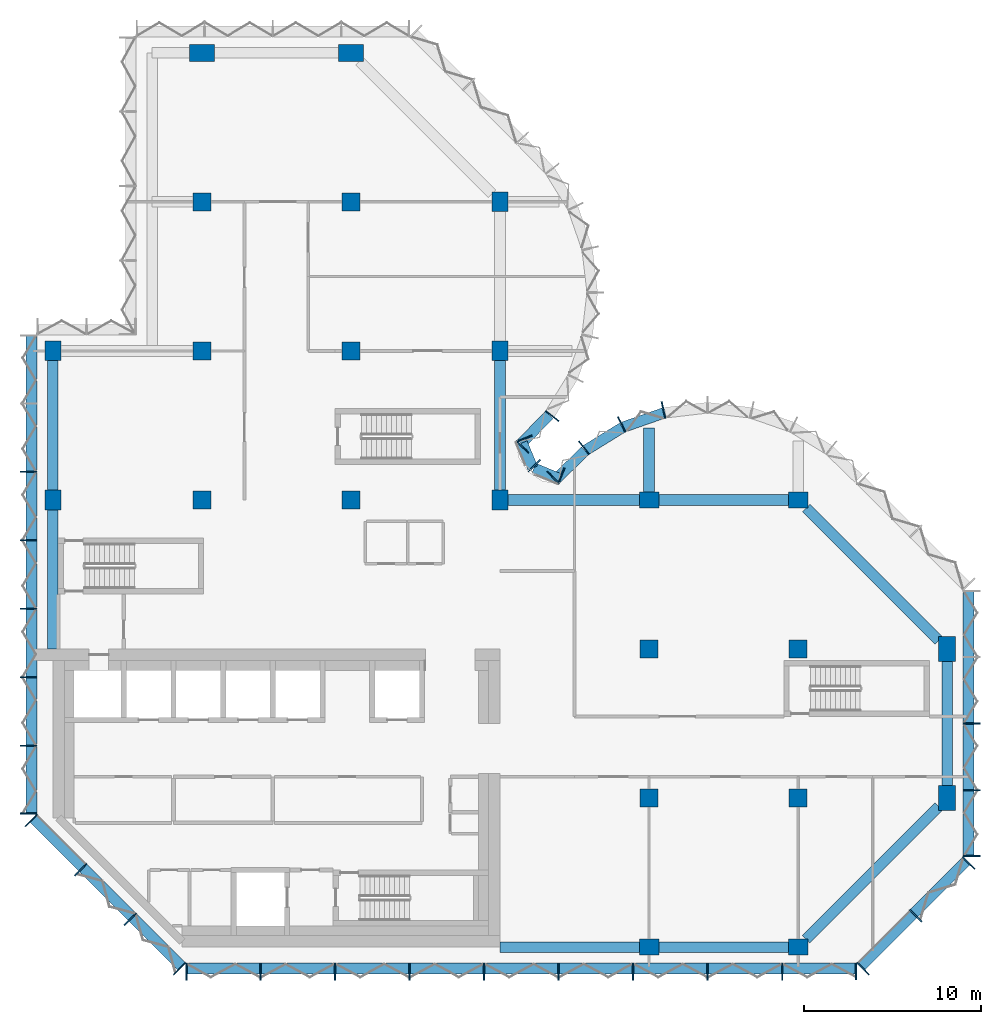
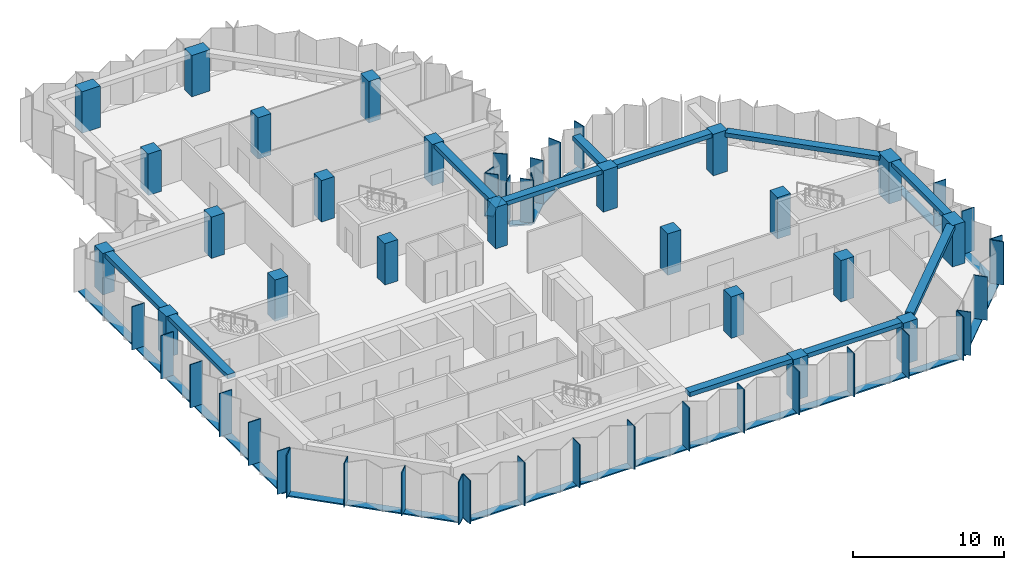
# One storey, part 1 of 9: 46 members, 23 columns, 11 beams, 8 elements without a shape of their own.
"""IFC4 building model written with IfcOpenShell, lengths in metres."""

from ifc_helpers import new_model, si_unit, direction, frame, origin, origin_2d, place, context, subcontext, project, spatial, rectangle, extrude, material, material_profile, profile_set, type_object, element, aggregate, save


model = new_model("IFC4")

# Units and contexts
model_context = context("Model", 3, precision=1e-05, world=origin(), true_north=direction((0.0, 1.0)))
body_context = subcontext(model_context, "Body", "Model", "MODEL_VIEW")
ifc_project = project(units=[si_unit("LENGTHUNIT", "METRE"), si_unit("AREAUNIT", "SQUARE_METRE"), si_unit("VOLUMEUNIT", "CUBIC_METRE"), si_unit("PLANEANGLEUNIT", "RADIAN"), si_unit("MASSUNIT", "GRAM", prefix="KILO")], contexts=[model_context])

# Site, building, storey
site_placement = place(None, origin())
site = spatial("IfcSite", under=ifc_project, at=site_placement, CompositionType="ELEMENT")
building_placement = place(site_placement, origin())
building = spatial("IfcBuilding", under=site, at=building_placement, Name="Brevane Broadcast Tower", CompositionType="ELEMENT")
storey_placement = place(building_placement, frame((0.0, 0.0, 188.39990234375)))
storey = spatial("IfcBuildingStorey", under=building, at=storey_placement, Name="L47", CompositionType="ELEMENT", Elevation=188.39990234375)

# Columns
ifc_material_1 = material(Name="Concrete C60/75", Category="concrete")
ifc_material_profile_1 = material_profile(ifc_material_1, rectangle(XDim=0.89990234375, YDim=1.10009765625, at=origin_2d()), Name="RC 900x1100")
ifc_profile_set_1 = profile_set([ifc_material_profile_1], Name="Concrete C60/75")
column_type_1 = type_object("IfcColumnType", Name="RC COLUMN EDGE 900x1100 C60/75", PredefinedType="COLUMN", material=ifc_profile_set_1)
for number, where, z_axis, x_axis, name in (
    (1, (0.0, 25.199951171875, 0.0), (0.0, 0.0, 1.0), (1.0, 0.0, 0.0), "CE11 1/D"),
    (2, (0.0, 33.60009765625, 0.0), (0.0, 0.0, 1.0), (1.0, 0.0, 0.0), "CE11 1/E"),
    (3, (25.199951171875, 25.199951171875, 0.0), (0.0, 0.0, 1.0), (1.0, 0.0, 0.0), "CE11 4/D"),
    (4, (25.199951171875, 33.60009765625, 0.0), (0.0, 0.0, 1.0), (1.0, 0.0, 0.0), "CE11 4/E"),
    (5, (25.199951171875, 42.0, 0.0), (0.0, 0.0, 1.0), (1.0, 0.0, 0.0), "CE11 4/F"),
    (6, (33.60009765625, 0.0, 0.0), (0.0, 0.0, 1.0), (0.0, 1.0, 0.0), "CE11 5/A"),
    (7, (33.60009765625, 25.199951171875, 0.0), (0.0, 0.0, 1.0), (0.0, 1.0, 0.0), "CE11 5/D"),
    (8, (42.0, 0.0, 0.0), (0.0, 0.0, 1.0), (0.0, 1.0, 0.0), "CE11 6/A"),
    (9, (42.0, 25.199951171875, 0.0), (0.0, 0.0, 1.0), (0.0, 1.0, 0.0), "CE11 6/D"),
):
    element("IfcColumn", number, at=place(storey_placement, frame(where, z_axis=z_axis, x_axis=x_axis)), inside=storey, type_object=column_type_1, Name=name, PredefinedType="COLUMN", context=body_context, shape_type="SweptSolid", body=[
        extrude(rectangle(XDim=0.89990234375, YDim=1.10009765625, at=origin_2d()), origin(), (0.0, 0.0, 1.0), 3.35009765625),
    ])
ifc_material_profile_2 = material_profile(ifc_material_1, rectangle(XDim=1.0, YDim=1.0, at=origin_2d()), Name="RC 1000x1000")
ifc_profile_set_2 = profile_set([ifc_material_profile_2], Name="Concrete C60/75")
column_type_2 = type_object("IfcColumnType", Name="RC COLUMN INTERIOR 1000x1000 C60/75", PredefinedType="COLUMN", material=ifc_profile_set_2)
for number, where, z_axis, x_axis, name in (
    (10, (8.39990234375, 25.199951171875, 0.0), (0.0, 0.0, 1.0), (1.0, 0.0, 0.0), "CI12 2/D"),
    (11, (8.39990234375, 33.60009765625, 0.0), (0.0, 0.0, 1.0), (1.0, 0.0, 0.0), "CI12 2/E"),
    (12, (8.39990234375, 42.0, 0.0), (0.0, 0.0, 1.0), (1.0, 0.0, 0.0), "CI12 2/F"),
    (13, (16.800048828125, 25.199951171875, 0.0), (0.0, 0.0, 1.0), (1.0, 0.0, 0.0), "CI12 3/D"),
    (14, (16.800048828125, 33.60009765625, 0.0), (0.0, 0.0, 1.0), (1.0, 0.0, 0.0), "CI12 3/E"),
    (15, (16.800048828125, 42.0, 0.0), (0.0, 0.0, 1.0), (1.0, 0.0, 0.0), "CI12 3/F"),
    (16, (33.60009765625, 8.39990234375, 0.0), (0.0, 0.0, 1.0), (1.0, 0.0, 0.0), "CI12 5/B"),
    (17, (33.60009765625, 16.800048828125, 0.0), (0.0, 0.0, 1.0), (1.0, 0.0, 0.0), "CI12 5/C"),
    (18, (42.0, 8.39990234375, 0.0), (0.0, 0.0, 1.0), (1.0, 0.0, 0.0), "CI12 6/B"),
    (19, (42.0, 16.800048828125, 0.0), (0.0, 0.0, 1.0), (1.0, 0.0, 0.0), "CI12 6/C"),
):
    element("IfcColumn", number, at=place(storey_placement, frame(where, z_axis=z_axis, x_axis=x_axis)), inside=storey, type_object=column_type_2, Name=name, PredefinedType="COLUMN", context=body_context, shape_type="SweptSolid", body=[
        extrude(rectangle(XDim=1.0, YDim=1.0, at=origin_2d()), origin(), (0.0, 0.0, 1.0), 3.35009765625),
    ])
ifc_material_profile_3 = material_profile(ifc_material_1, rectangle(XDim=0.949951171875, YDim=1.39990234375, at=origin_2d()), Name="RC 950x1400")
ifc_profile_set_3 = profile_set([ifc_material_profile_3], Name="Concrete C60/75")
column_type_3 = type_object("IfcColumnType", Name="RC COLUMN WING-END 950x1400 C60/75", PredefinedType="COLUMN", material=ifc_profile_set_3)
for number, where, z_axis, x_axis, name in (
    (20, (8.39990234375, 50.39990234375, 0.0), (0.0, 0.0, 1.0), (0.0, 1.0, 0.0), "CW13 2/G"),
    (21, (16.800048828125, 50.39990234375, 0.0), (0.0, 0.0, 1.0), (0.0, 1.0, 0.0), "CW13 3/G"),
    (22, (50.39990234375, 8.39990234375, 0.0), (0.0, 0.0, 1.0), (1.0, 0.0, 0.0), "CW13 7/B"),
    (23, (50.39990234375, 16.800048828125, 0.0), (0.0, 0.0, 1.0), (1.0, 0.0, 0.0), "CW13 7/C"),
):
    element("IfcColumn", number, at=place(storey_placement, frame(where, z_axis=z_axis, x_axis=x_axis)), inside=storey, type_object=column_type_3, Name=name, PredefinedType="COLUMN", context=body_context, shape_type="SweptSolid", body=[
        extrude(rectangle(XDim=0.949951171875, YDim=1.39990234375, at=origin_2d()), origin(), (0.0, 0.0, 1.0), 3.35009765625),
    ])

# Curtain wall, members
ifc_material_2 = material(Name="Aluminium 6063-T6 bronze anodised", Category="aluminium")
curtain_wall_type = type_object("IfcCurtainWallType", Name="CW-1 curtain wall", PredefinedType="NOTDEFINED", material=ifc_material_2)
curtain_wall_1_placement = place(storey_placement, origin())
curtain_wall_1 = element("IfcCurtainWall", 24, at=curtain_wall_1_placement, inside=storey, type_object=curtain_wall_type, Name="CW-1 typical tilted unit L47 south face", PredefinedType="NOTDEFINED")
ifc_material_profile_4 = material_profile(ifc_material_2, rectangle(XDim=0.949951171875, YDim=0.070068359375, at=origin_2d()), Name="RECT 70x950")
ifc_profile_set_4 = profile_set([ifc_material_profile_4], Name="Aluminium 6063-T6 bronze anodised")
member_type_1 = type_object("IfcMemberType", Name="CW-1 mullion 70x950", PredefinedType="MULLION", material=ifc_profile_set_4)
member_1_placement = place(storey_placement, frame((7.534912109375, -1.375, -0.14990234375), z_axis=(0.0, 0.0, 1.0), x_axis=(0.0, 1.0, 0.0)))
member_1 = element("IfcMember", 25, at=member_1_placement, type_object=member_type_1, Name="CW-1 mullion", PredefinedType="MULLION", context=body_context, shape_type="SweptSolid", body=[
    extrude(rectangle(XDim=0.949951171875, YDim=0.070068359375, at=origin_2d()), origin(), (0.0, 0.0, 1.0), 3.5),
])
member_2_placement = place(storey_placement, frame((11.699951171875, -1.375, -0.14990234375), z_axis=(0.0, 0.0, 1.0), x_axis=(0.0, 1.0, 0.0)))
member_2 = element("IfcMember", 26, at=member_2_placement, type_object=member_type_1, Name="CW-1 mullion", PredefinedType="MULLION", context=body_context, shape_type="SweptSolid", body=[
    extrude(rectangle(XDim=0.949951171875, YDim=0.070068359375, at=origin_2d()), origin(), (0.0, 0.0, 1.0), 3.5),
])
member_3_placement = place(storey_placement, frame((15.89990234375, -1.375, -0.14990234375), z_axis=(0.0, 0.0, 1.0), x_axis=(0.0, 1.0, 0.0)))
member_3 = element("IfcMember", 27, at=member_3_placement, type_object=member_type_1, Name="CW-1 mullion", PredefinedType="MULLION", context=body_context, shape_type="SweptSolid", body=[
    extrude(rectangle(XDim=0.949951171875, YDim=0.070068359375, at=origin_2d()), origin(), (0.0, 0.0, 1.0), 3.5),
])
member_4_placement = place(storey_placement, frame((20.10009765625, -1.375, -0.14990234375), z_axis=(0.0, 0.0, 1.0), x_axis=(0.0, 1.0, 0.0)))
member_4 = element("IfcMember", 28, at=member_4_placement, type_object=member_type_1, Name="CW-1 mullion", PredefinedType="MULLION", context=body_context, shape_type="SweptSolid", body=[
    extrude(rectangle(XDim=0.949951171875, YDim=0.070068359375, at=origin_2d()), origin(), (0.0, 0.0, 1.0), 3.5),
])
member_5_placement = place(storey_placement, frame((24.300048828125, -1.375, -0.14990234375), z_axis=(0.0, 0.0, 1.0), x_axis=(0.0, 1.0, 0.0)))
member_5 = element("IfcMember", 29, at=member_5_placement, type_object=member_type_1, Name="CW-1 mullion", PredefinedType="MULLION", context=body_context, shape_type="SweptSolid", body=[
    extrude(rectangle(XDim=0.949951171875, YDim=0.070068359375, at=origin_2d()), origin(), (0.0, 0.0, 1.0), 3.5),
])
member_6_placement = place(storey_placement, frame((28.5, -1.375, -0.14990234375), z_axis=(0.0, 0.0, 1.0), x_axis=(0.0, 1.0, 0.0)))
member_6 = element("IfcMember", 30, at=member_6_placement, type_object=member_type_1, Name="CW-1 mullion", PredefinedType="MULLION", context=body_context, shape_type="SweptSolid", body=[
    extrude(rectangle(XDim=0.949951171875, YDim=0.070068359375, at=origin_2d()), origin(), (0.0, 0.0, 1.0), 3.5),
])
member_7_placement = place(storey_placement, frame((32.699951171875, -1.375, -0.14990234375), z_axis=(0.0, 0.0, 1.0), x_axis=(0.0, 1.0, 0.0)))
member_7 = element("IfcMember", 31, at=member_7_placement, type_object=member_type_1, Name="CW-1 mullion", PredefinedType="MULLION", context=body_context, shape_type="SweptSolid", body=[
    extrude(rectangle(XDim=0.949951171875, YDim=0.070068359375, at=origin_2d()), origin(), (0.0, 0.0, 1.0), 3.5),
])
member_8_placement = place(storey_placement, frame((36.89990234375, -1.375, -0.14990234375), z_axis=(0.0, 0.0, 1.0), x_axis=(0.0, 1.0, 0.0)))
member_8 = element("IfcMember", 32, at=member_8_placement, type_object=member_type_1, Name="CW-1 mullion", PredefinedType="MULLION", context=body_context, shape_type="SweptSolid", body=[
    extrude(rectangle(XDim=0.949951171875, YDim=0.070068359375, at=origin_2d()), origin(), (0.0, 0.0, 1.0), 3.5),
])
member_9_placement = place(storey_placement, frame((41.10009765625, -1.375, -0.14990234375), z_axis=(0.0, 0.0, 1.0), x_axis=(0.0, 1.0, 0.0)))
member_9 = element("IfcMember", 33, at=member_9_placement, type_object=member_type_1, Name="CW-1 mullion", PredefinedType="MULLION", context=body_context, shape_type="SweptSolid", body=[
    extrude(rectangle(XDim=0.949951171875, YDim=0.070068359375, at=origin_2d()), origin(), (0.0, 0.0, 1.0), 3.5),
])
member_10_placement = place(storey_placement, frame((45.264892578125, -1.375, -0.14990234375), z_axis=(0.0, 0.0, 1.0), x_axis=(0.0, 1.0, 0.0)))
member_10 = element("IfcMember", 34, at=member_10_placement, type_object=member_type_1, Name="CW-1 mullion", PredefinedType="MULLION", context=body_context, shape_type="SweptSolid", body=[
    extrude(rectangle(XDim=0.949951171875, YDim=0.070068359375, at=origin_2d()), origin(), (0.0, 0.0, 1.0), 3.5),
])

curtain_wall_2_placement = place(storey_placement, origin())
curtain_wall_2 = element("IfcCurtainWall", 35, at=curtain_wall_2_placement, inside=storey, type_object=curtain_wall_type, Name="CW-1 typical tilted unit L47 south-east chamfer", PredefinedType="NOTDEFINED")
member_11_placement = place(storey_placement, frame((45.66064453125, -1.211181640625, -0.14990234375), z_axis=(0.0, 0.0, 1.0), x_axis=(-0.707106781187, 0.707106781187, 0.0)))
member_11 = element("IfcMember", 36, at=member_11_placement, type_object=member_type_1, Name="CW-1 mullion", PredefinedType="MULLION", context=body_context, shape_type="SweptSolid", body=[
    extrude(rectangle(XDim=0.949951171875, YDim=0.070068359375, at=origin_2d()), origin(), (0.0, 0.0, 1.0), 3.5),
])
member_12_placement = place(storey_placement, frame((48.635986328125, 1.76416015625, -0.14990234375), z_axis=(0.0, 0.0, 1.0), x_axis=(-0.707106781187, 0.707106781187, 0.0)))
member_12 = element("IfcMember", 37, at=member_12_placement, type_object=member_type_1, Name="CW-1 mullion", PredefinedType="MULLION", context=body_context, shape_type="SweptSolid", body=[
    extrude(rectangle(XDim=0.949951171875, YDim=0.070068359375, at=origin_2d()), origin(), (0.0, 0.0, 1.0), 3.5),
])
member_13_placement = place(storey_placement, frame((51.611083984375, 4.7392578125, -0.14990234375), z_axis=(0.0, 0.0, 1.0), x_axis=(-0.707106781187, 0.707106781187, 0.0)))
member_13 = element("IfcMember", 38, at=member_13_placement, type_object=member_type_1, Name="CW-1 mullion", PredefinedType="MULLION", context=body_context, shape_type="SweptSolid", body=[
    extrude(rectangle(XDim=0.949951171875, YDim=0.070068359375, at=origin_2d()), origin(), (0.0, 0.0, 1.0), 3.5),
])

curtain_wall_3_placement = place(storey_placement, origin())
curtain_wall_3 = element("IfcCurtainWall", 39, at=curtain_wall_3_placement, inside=storey, type_object=curtain_wall_type, Name="CW-1 typical tilted unit L47 east end", PredefinedType="NOTDEFINED")
member_14_placement = place(storey_placement, frame((51.77490234375, 5.135009765625, -0.14990234375), z_axis=(0.0, 0.0, 1.0), x_axis=(-1.0, 0.0, 0.0)))
member_14 = element("IfcMember", 40, at=member_14_placement, type_object=member_type_1, Name="CW-1 mullion", PredefinedType="MULLION", context=body_context, shape_type="SweptSolid", body=[
    extrude(rectangle(XDim=0.949951171875, YDim=0.070068359375, at=origin_2d()), origin(), (0.0, 0.0, 1.0), 3.5),
])
member_15_placement = place(storey_placement, frame((51.77490234375, 8.85009765625, -0.14990234375), z_axis=(0.0, 0.0, 1.0), x_axis=(-1.0, 0.0, 0.0)))
member_15 = element("IfcMember", 41, at=member_15_placement, type_object=member_type_1, Name="CW-1 mullion", PredefinedType="MULLION", context=body_context, shape_type="SweptSolid", body=[
    extrude(rectangle(XDim=0.949951171875, YDim=0.070068359375, at=origin_2d()), origin(), (0.0, 0.0, 1.0), 3.5),
])
member_16_placement = place(storey_placement, frame((51.77490234375, 12.60009765625, -0.14990234375), z_axis=(0.0, 0.0, 1.0), x_axis=(-1.0, 0.0, 0.0)))
member_16 = element("IfcMember", 42, at=member_16_placement, type_object=member_type_1, Name="CW-1 mullion", PredefinedType="MULLION", context=body_context, shape_type="SweptSolid", body=[
    extrude(rectangle(XDim=0.949951171875, YDim=0.070068359375, at=origin_2d()), origin(), (0.0, 0.0, 1.0), 3.5),
])

curtain_wall_4_placement = place(storey_placement, origin())
curtain_wall_4 = element("IfcCurtainWall", 43, at=curtain_wall_4_placement, inside=storey, type_object=curtain_wall_type, Name="CW-1 typical tilted unit L47 east bow", PredefinedType="NOTDEFINED")
member_17_placement = place(storey_placement, frame((34.411865234375, 30.28076171875, -0.14990234375), z_axis=(0.0, 0.0, 1.0), x_axis=(0.224806535479, -0.974403418306, 0.0)))
member_17 = element("IfcMember", 44, at=member_17_placement, type_object=member_type_1, Name="CW-1 mullion", PredefinedType="MULLION", context=body_context, shape_type="SweptSolid", body=[
    extrude(rectangle(XDim=0.949951171875, YDim=0.070068359375, at=origin_2d()), origin(), (0.0, 0.0, 1.0), 3.5),
])
member_18_placement = place(storey_placement, frame((32.05322265625, 29.4580078125, -0.14990234375), z_axis=(0.0, 0.0, 1.0), x_axis=(0.429933580394, -0.902860518823, 0.0)))
member_18 = element("IfcMember", 45, at=member_18_placement, type_object=member_type_1, Name="CW-1 mullion", PredefinedType="MULLION", context=body_context, shape_type="SweptSolid", body=[
    extrude(rectangle(XDim=0.949951171875, YDim=0.070068359375, at=origin_2d()), origin(), (0.0, 0.0, 1.0), 3.5),
])
member_19_placement = place(storey_placement, frame((29.927978515625, 28.1455078125, -0.14990234375), z_axis=(0.0, 0.0, 1.0), x_axis=(0.614769698862, -0.788706673841, 0.0)))
member_19 = element("IfcMember", 46, at=member_19_placement, type_object=member_type_1, Name="CW-1 mullion", PredefinedType="MULLION", context=body_context, shape_type="SweptSolid", body=[
    extrude(rectangle(XDim=0.949951171875, YDim=0.070068359375, at=origin_2d()), origin(), (0.0, 0.0, 1.0), 3.5),
])
member_20_placement = place(storey_placement, frame((28.194091796875, 26.465087890625, -0.14990234375), z_axis=(0.0, 0.0, 1.0), x_axis=(0.696812089895, -0.717253728729, 0.0)))
member_20 = element("IfcMember", 47, at=member_20_placement, type_object=member_type_1, Name="CW-1 mullion", PredefinedType="MULLION", context=body_context, shape_type="SweptSolid", body=[
    extrude(rectangle(XDim=0.949951171875, YDim=0.070068359375, at=origin_2d()), origin(), (0.0, 0.0, 1.0), 3.5),
])

curtain_wall_5_placement = place(storey_placement, origin())
curtain_wall_5 = element("IfcCurtainWall", 48, at=curtain_wall_5_placement, inside=storey, type_object=curtain_wall_type, Name="CW-1 typical tilted unit L47 inner corner", PredefinedType="NOTDEFINED")
member_21_placement = place(storey_placement, frame((28.6494140625, 26.55224609375, -0.14990234375), z_axis=(0.0, 0.0, 1.0), x_axis=(-0.382683432365, -0.923879532511, 0.0)))
member_21 = element("IfcMember", 49, at=member_21_placement, type_object=member_type_1, Name="CW-1 mullion", PredefinedType="MULLION", context=body_context, shape_type="SweptSolid", body=[
    extrude(rectangle(XDim=0.949951171875, YDim=0.070068359375, at=origin_2d()), origin(), (0.0, 0.0, 1.0), 3.5),
])
member_22_placement = place(storey_placement, frame((27.138916015625, 27.138916015625, -0.14990234375), z_axis=(0.0, 0.0, 1.0), x_axis=(-0.707106781187, -0.707106781187, 0.0)))
member_22 = element("IfcMember", 50, at=member_22_placement, type_object=member_type_1, Name="CW-1 mullion", PredefinedType="MULLION", context=body_context, shape_type="SweptSolid", body=[
    extrude(rectangle(XDim=0.949951171875, YDim=0.070068359375, at=origin_2d()), origin(), (0.0, 0.0, 1.0), 3.5),
])
member_23_placement = place(storey_placement, frame((26.55224609375, 28.6494140625, -0.14990234375), z_axis=(0.0, 0.0, 1.0), x_axis=(-0.923879532511, -0.382683432365, 0.0)))
member_23 = element("IfcMember", 51, at=member_23_placement, type_object=member_type_1, Name="CW-1 mullion", PredefinedType="MULLION", context=body_context, shape_type="SweptSolid", body=[
    extrude(rectangle(XDim=0.949951171875, YDim=0.070068359375, at=origin_2d()), origin(), (0.0, 0.0, 1.0), 3.5),
])

curtain_wall_6_placement = place(storey_placement, origin())
curtain_wall_6 = element("IfcCurtainWall", 52, at=curtain_wall_6_placement, inside=storey, type_object=curtain_wall_type, Name="CW-1 typical tilted unit L47 north bow", PredefinedType="NOTDEFINED")
member_24_placement = place(storey_placement, frame((26.465087890625, 28.194091796875, -0.14990234375), z_axis=(0.0, 0.0, 1.0), x_axis=(-0.717253728729, 0.696812089895, 0.0)))
member_24 = element("IfcMember", 53, at=member_24_placement, type_object=member_type_1, Name="CW-1 mullion", PredefinedType="MULLION", context=body_context, shape_type="SweptSolid", body=[
    extrude(rectangle(XDim=0.949951171875, YDim=0.070068359375, at=origin_2d()), origin(), (0.0, 0.0, 1.0), 3.5),
])
member_25_placement = place(storey_placement, frame((28.1455078125, 29.927978515625, -0.14990234375), z_axis=(0.0, 0.0, 1.0), x_axis=(-0.788706673841, 0.614769698862, 0.0)))
member_25 = element("IfcMember", 54, at=member_25_placement, type_object=member_type_1, Name="CW-1 mullion", PredefinedType="MULLION", context=body_context, shape_type="SweptSolid", body=[
    extrude(rectangle(XDim=0.949951171875, YDim=0.070068359375, at=origin_2d()), origin(), (0.0, 0.0, 1.0), 3.5),
])

curtain_wall_7_placement = place(storey_placement, origin())
curtain_wall_7 = element("IfcCurtainWall", 55, at=curtain_wall_7_placement, inside=storey, type_object=curtain_wall_type, Name="CW-1 typical tilted unit L47 west face", PredefinedType="NOTDEFINED")
member_26_placement = place(storey_placement, frame((-1.375, 26.78564453125, -0.14990234375), z_axis=(0.0, 0.0, 1.0), x_axis=(1.0, 0.0, 0.0)))
member_26 = element("IfcMember", 56, at=member_26_placement, type_object=member_type_1, Name="CW-1 mullion", PredefinedType="MULLION", context=body_context, shape_type="SweptSolid", body=[
    extrude(rectangle(XDim=0.949951171875, YDim=0.070068359375, at=origin_2d()), origin(), (0.0, 0.0, 1.0), 3.5),
])
member_27_placement = place(storey_placement, frame((-1.375, 22.928466796875, -0.14990234375), z_axis=(0.0, 0.0, 1.0), x_axis=(1.0, 0.0, 0.0)))
member_27 = element("IfcMember", 57, at=member_27_placement, type_object=member_type_1, Name="CW-1 mullion", PredefinedType="MULLION", context=body_context, shape_type="SweptSolid", body=[
    extrude(rectangle(XDim=0.949951171875, YDim=0.070068359375, at=origin_2d()), origin(), (0.0, 0.0, 1.0), 3.5),
])
member_28_placement = place(storey_placement, frame((-1.375, 19.071533203125, -0.14990234375), z_axis=(0.0, 0.0, 1.0), x_axis=(1.0, 0.0, 0.0)))
member_28 = element("IfcMember", 58, at=member_28_placement, type_object=member_type_1, Name="CW-1 mullion", PredefinedType="MULLION", context=body_context, shape_type="SweptSolid", body=[
    extrude(rectangle(XDim=0.949951171875, YDim=0.070068359375, at=origin_2d()), origin(), (0.0, 0.0, 1.0), 3.5),
])
member_29_placement = place(storey_placement, frame((-1.375, 15.21435546875, -0.14990234375), z_axis=(0.0, 0.0, 1.0), x_axis=(1.0, 0.0, 0.0)))
member_29 = element("IfcMember", 59, at=member_29_placement, type_object=member_type_1, Name="CW-1 mullion", PredefinedType="MULLION", context=body_context, shape_type="SweptSolid", body=[
    extrude(rectangle(XDim=0.949951171875, YDim=0.070068359375, at=origin_2d()), origin(), (0.0, 0.0, 1.0), 3.5),
])
member_30_placement = place(storey_placement, frame((-1.375, 11.357177734375, -0.14990234375), z_axis=(0.0, 0.0, 1.0), x_axis=(1.0, 0.0, 0.0)))
member_30 = element("IfcMember", 60, at=member_30_placement, type_object=member_type_1, Name="CW-1 mullion", PredefinedType="MULLION", context=body_context, shape_type="SweptSolid", body=[
    extrude(rectangle(XDim=0.949951171875, YDim=0.070068359375, at=origin_2d()), origin(), (0.0, 0.0, 1.0), 3.5),
])
member_31_placement = place(storey_placement, frame((-1.375, 7.534912109375, -0.14990234375), z_axis=(0.0, 0.0, 1.0), x_axis=(1.0, 0.0, 0.0)))
member_31 = element("IfcMember", 61, at=member_31_placement, type_object=member_type_1, Name="CW-1 mullion", PredefinedType="MULLION", context=body_context, shape_type="SweptSolid", body=[
    extrude(rectangle(XDim=0.949951171875, YDim=0.070068359375, at=origin_2d()), origin(), (0.0, 0.0, 1.0), 3.5),
])

curtain_wall_8_placement = place(storey_placement, origin())
curtain_wall_8 = element("IfcCurtainWall", 62, at=curtain_wall_8_placement, inside=storey, type_object=curtain_wall_type, Name="CW-1 typical tilted unit L47 south-west chamfer", PredefinedType="NOTDEFINED")
member_32_placement = place(storey_placement, frame((-1.211181640625, 7.139404296875, -0.14990234375), z_axis=(0.0, 0.0, 1.0), x_axis=(0.707106781187, 0.707106781187, 0.0)))
member_32 = element("IfcMember", 63, at=member_32_placement, type_object=member_type_1, Name="CW-1 mullion", PredefinedType="MULLION", context=body_context, shape_type="SweptSolid", body=[
    extrude(rectangle(XDim=0.949951171875, YDim=0.070068359375, at=origin_2d()), origin(), (0.0, 0.0, 1.0), 3.5),
])
member_33_placement = place(storey_placement, frame((1.564208984375, 4.364013671875, -0.14990234375), z_axis=(0.0, 0.0, 1.0), x_axis=(0.707106781187, 0.707106781187, 0.0)))
member_33 = element("IfcMember", 64, at=member_33_placement, type_object=member_type_1, Name="CW-1 mullion", PredefinedType="MULLION", context=body_context, shape_type="SweptSolid", body=[
    extrude(rectangle(XDim=0.949951171875, YDim=0.070068359375, at=origin_2d()), origin(), (0.0, 0.0, 1.0), 3.5),
])
member_34_placement = place(storey_placement, frame((4.364013671875, 1.564208984375, -0.14990234375), z_axis=(0.0, 0.0, 1.0), x_axis=(0.707106781187, 0.707106781187, 0.0)))
member_34 = element("IfcMember", 65, at=member_34_placement, type_object=member_type_1, Name="CW-1 mullion", PredefinedType="MULLION", context=body_context, shape_type="SweptSolid", body=[
    extrude(rectangle(XDim=0.949951171875, YDim=0.070068359375, at=origin_2d()), origin(), (0.0, 0.0, 1.0), 3.5),
])
member_35_placement = place(storey_placement, frame((7.139404296875, -1.211181640625, -0.14990234375), z_axis=(0.0, 0.0, 1.0), x_axis=(0.707106781187, 0.707106781187, 0.0)))
member_35 = element("IfcMember", 66, at=member_35_placement, type_object=member_type_1, Name="CW-1 mullion", PredefinedType="MULLION", context=body_context, shape_type="SweptSolid", body=[
    extrude(rectangle(XDim=0.949951171875, YDim=0.070068359375, at=origin_2d()), origin(), (0.0, 0.0, 1.0), 3.5),
])

# Member
ifc_material_profile_5 = material_profile(ifc_material_2, rectangle(XDim=0.60009765625, YDim=0.10009765625, at=origin_2d()), Name="RECT 100x600")
ifc_profile_set_5 = profile_set([ifc_material_profile_5], Name="Aluminium 6063-T6 bronze anodised")
member_type_2 = type_object("IfcMemberType", Name="CW-1 transom 100x600", PredefinedType="USERDEFINED", material=ifc_profile_set_5)
member_36_placement = place(storey_placement, frame((7.5, -1.199951171875, -0.199951171875), z_axis=(1.0, 0.0, 0.0), x_axis=(0.0, 1.0, 0.0)))
member_36 = element("IfcMember", 67, at=member_36_placement, type_object=member_type_2, Name="CW-1 transom", ObjectType="TRANSOM", PredefinedType="USERDEFINED", context=body_context, shape_type="SweptSolid", body=[
    extrude(rectangle(XDim=0.60009765625, YDim=0.10009765625, at=origin_2d()), origin(), (0.0, 0.0, 1.0), 37.800048828125),
])

aggregate(curtain_wall_1, [member_1, member_2, member_3, member_4, member_5, member_6, member_7, member_8, member_9, member_10, member_36])

member_37_placement = place(storey_placement, frame((45.51220703125, -1.112060546875, -0.199951171875), z_axis=(0.707106781187, 0.707106781187, 0.0), x_axis=(-0.707106781187, 0.707106781187, 0.0)))
member_37 = element("IfcMember", 68, at=member_37_placement, type_object=member_type_2, Name="CW-1 transom", ObjectType="TRANSOM", PredefinedType="USERDEFINED", context=body_context, shape_type="SweptSolid", body=[
    extrude(rectangle(XDim=0.60009765625, YDim=0.10009765625, at=origin_2d()), origin(), (0.0, 0.0, 1.0), 8.4853515625),
])

aggregate(curtain_wall_2, [member_11, member_12, member_13, member_37])

member_38_placement = place(storey_placement, frame((51.60009765625, 5.10009765625, -0.199951171875), z_axis=(0.0, 1.0, 0.0), x_axis=(-1.0, 0.0, 0.0)))
member_38 = element("IfcMember", 69, at=member_38_placement, type_object=member_type_2, Name="CW-1 transom", ObjectType="TRANSOM", PredefinedType="USERDEFINED", context=body_context, shape_type="SweptSolid", body=[
    extrude(rectangle(XDim=0.60009765625, YDim=0.10009765625, at=origin_2d()), origin(), (0.0, 0.0, 1.0), 15.0),
])

aggregate(curtain_wall_3, [member_14, member_15, member_16, member_38])

member_39_placement = place(storey_placement, frame((34.425048828125, 30.10302734375, -0.199951171875), z_axis=(-0.944197969542, -0.329378497041, 0.0), x_axis=(0.329378497041, -0.944197969542, 0.0)))
member_39 = element("IfcMember", 70, at=member_39_placement, type_object=member_type_2, Name="CW-1 transom", ObjectType="TRANSOM", PredefinedType="USERDEFINED", context=body_context, shape_type="SweptSolid", body=[
    extrude(rectangle(XDim=0.60009765625, YDim=0.10009765625, at=origin_2d()), origin(), (0.0, 0.0, 1.0), 2.394775390625),
])

member_40_placement = place(storey_placement, frame((32.09521484375, 29.281494140625, -0.199951171875), z_axis=(-0.850838211365, -0.525427766759, 0.0), x_axis=(0.525427766759, -0.850838211365, 0.0)))
member_40 = element("IfcMember", 71, at=member_40_placement, type_object=member_type_2, Name="CW-1 transom", ObjectType="TRANSOM", PredefinedType="USERDEFINED", context=body_context, shape_type="SweptSolid", body=[
    extrude(rectangle(XDim=0.60009765625, YDim=0.10009765625, at=origin_2d()), origin(), (0.0, 0.0, 1.0), 2.394775390625),
])

member_41_placement = place(storey_placement, frame((29.99951171875, 27.974365234375, -0.199951171875), z_axis=(-0.71724215871, -0.696823999134, 0.0), x_axis=(0.696823999134, -0.71724215871, 0.0)))
member_41 = element("IfcMember", 72, at=member_41_placement, type_object=member_type_2, Name="CW-1 transom", ObjectType="TRANSOM", PredefinedType="USERDEFINED", context=body_context, shape_type="SweptSolid", body=[
    extrude(rectangle(XDim=0.60009765625, YDim=0.10009765625, at=origin_2d()), origin(), (0.0, 0.0, 1.0), 2.247802734375),
])

aggregate(curtain_wall_4, [member_17, member_18, member_19, member_20, member_39, member_40, member_41])

member_42_placement = place(storey_placement, frame((28.528076171875, 26.40673828125, -0.199951171875), z_axis=(-0.923883243627, 0.382674472816, 0.0), x_axis=(-0.382674472816, -0.923883243627, 0.0)))
member_42 = element("IfcMember", 73, at=member_42_placement, type_object=member_type_2, Name="CW-1 transom", ObjectType="TRANSOM", PredefinedType="USERDEFINED", context=body_context, shape_type="SweptSolid", body=[
    extrude(rectangle(XDim=0.60009765625, YDim=0.10009765625, at=origin_2d()), origin(), (0.0, 0.0, 1.0), 1.536865234375),
])

member_43_placement = place(storey_placement, frame((27.039794921875, 27.0, -0.199951171875), z_axis=(-0.382674472816, 0.923883243627, 0.0), x_axis=(-0.923883243627, -0.382674472816, 0.0)))
member_43 = element("IfcMember", 74, at=member_43_placement, type_object=member_type_2, Name="CW-1 transom", ObjectType="TRANSOM", PredefinedType="USERDEFINED", context=body_context, shape_type="SweptSolid", body=[
    extrude(rectangle(XDim=0.60009765625, YDim=0.10009765625, at=origin_2d()), origin(), (0.0, 0.0, 1.0), 1.536865234375),
])

aggregate(curtain_wall_5, [member_21, member_22, member_23, member_42, member_43])

member_44_placement = place(storey_placement, frame((26.407958984375, 28.38720703125, -0.199951171875), z_axis=(0.696823999134, 0.71724215871, 0.0), x_axis=(-0.71724215871, 0.696823999134, 0.0)))
member_44 = element("IfcMember", 75, at=member_44_placement, type_object=member_type_2, Name="CW-1 transom", ObjectType="TRANSOM", PredefinedType="USERDEFINED", context=body_context, shape_type="SweptSolid", body=[
    extrude(rectangle(XDim=0.60009765625, YDim=0.10009765625, at=origin_2d()), origin(), (0.0, 0.0, 1.0), 2.247802734375),
])

aggregate(curtain_wall_6, [member_24, member_25, member_44])

member_45_placement = place(storey_placement, frame((-1.199951171875, 34.5, -0.199951171875), z_axis=(0.0, -1.0, 0.0), x_axis=(1.0, 0.0, 0.0)))
member_45 = element("IfcMember", 76, at=member_45_placement, type_object=member_type_2, Name="CW-1 transom", ObjectType="TRANSOM", PredefinedType="USERDEFINED", context=body_context, shape_type="SweptSolid", body=[
    extrude(rectangle(XDim=0.60009765625, YDim=0.10009765625, at=origin_2d()), origin(), (0.0, 0.0, 1.0), 27.0),
])

aggregate(curtain_wall_7, [member_26, member_27, member_28, member_29, member_30, member_31, member_45])

member_46_placement = place(storey_placement, frame((-1.112060546875, 7.287841796875, -0.199951171875), z_axis=(0.707106781187, -0.707106781187, 0.0), x_axis=(0.707106781187, 0.707106781187, 0.0)))
member_46 = element("IfcMember", 77, at=member_46_placement, type_object=member_type_2, Name="CW-1 transom", ObjectType="TRANSOM", PredefinedType="USERDEFINED", context=body_context, shape_type="SweptSolid", body=[
    extrude(rectangle(XDim=0.60009765625, YDim=0.10009765625, at=origin_2d()), origin(), (0.0, 0.0, 1.0), 11.879150390625),
])

aggregate(curtain_wall_8, [member_32, member_33, member_34, member_35, member_46])

# Beams
ifc_material_3 = material(Name="Concrete C40/50", Category="concrete")
ifc_material_profile_6 = material_profile(ifc_material_3, rectangle(XDim=0.60009765625, YDim=0.35009765625, at=origin_2d()), Name="RC 600x350")
ifc_profile_set_6 = profile_set([ifc_material_profile_6], Name="Concrete C40/50")
beam_type_1 = type_object("IfcBeamType", Name="RC BRACKET BEAM 600x350 C40/50", PredefinedType="BEAM", material=ifc_profile_set_6)
beam_1_placement = place(storey_placement, frame((33.60009765625, 25.64990234375, 3.175048828125), z_axis=(0.0, 1.0, 0.0), x_axis=(-1.0, 0.0, 0.0)))
element("IfcBeam", 78, at=beam_1_placement, inside=storey, type_object=beam_type_1, Name="EB2 L47-3", PredefinedType="BEAM", context=body_context, shape_type="SweptSolid", body=[
    extrude(rectangle(XDim=0.60009765625, YDim=0.35009765625, at=origin_2d()), origin(), (0.0, 0.0, 1.0), 3.612060546875),
])
ifc_material_profile_7 = material_profile(ifc_material_3, rectangle(XDim=0.60009765625, YDim=0.35009765625, at=origin_2d()), Name="RC 600x350")
ifc_profile_set_7 = profile_set([ifc_material_profile_7], Name="Concrete C40/50")
beam_type_2 = type_object("IfcBeamType", Name="RC SPANDREL BEAM 600x350 C40/50", PredefinedType="SPANDREL", material=ifc_profile_set_7)
beam_2_placement = place(storey_placement, frame((25.199951171875, 0.0, 3.175048828125), z_axis=(1.0, 0.0, 0.0), x_axis=(0.0, 1.0, 0.0)))
element("IfcBeam", 79, at=beam_2_placement, inside=storey, type_object=beam_type_2, Name="EB1 L47-1", PredefinedType="SPANDREL", context=body_context, shape_type="SweptSolid", body=[
    extrude(rectangle(XDim=0.60009765625, YDim=0.35009765625, at=origin_2d()), origin(), (0.0, 0.0, 1.0), 7.85009765625),
])
beam_3_placement = place(storey_placement, frame((34.14990234375, 0.0, 3.175048828125), z_axis=(1.0, 0.0, 0.0), x_axis=(0.0, 1.0, 0.0)))
element("IfcBeam", 80, at=beam_3_placement, inside=storey, type_object=beam_type_2, Name="EB1 L47-2", PredefinedType="SPANDREL", context=body_context, shape_type="SweptSolid", body=[
    extrude(rectangle(XDim=0.60009765625, YDim=0.35009765625, at=origin_2d()), origin(), (0.0, 0.0, 1.0), 7.300048828125),
])
beam_4_placement = place(storey_placement, frame((42.449951171875, 0.449951171875, 3.175048828125), z_axis=(0.707106781187, 0.707106781187, 0.0), x_axis=(-0.707106781187, 0.707106781187, 0.0)))
element("IfcBeam", 81, at=beam_4_placement, inside=storey, type_object=beam_type_2, Name="EB1 L47-3", PredefinedType="SPANDREL", context=body_context, shape_type="SweptSolid", body=[
    extrude(rectangle(XDim=0.60009765625, YDim=0.35009765625, at=origin_2d()), origin(), (0.0, 0.0, 1.0), 10.5712890625),
])
beam_5_placement = place(storey_placement, frame((50.39990234375, 9.10009765625, 3.175048828125), z_axis=(0.0, 1.0, 0.0), x_axis=(-1.0, 0.0, 0.0)))
element("IfcBeam", 82, at=beam_5_placement, inside=storey, type_object=beam_type_2, Name="EB1 L47-4", PredefinedType="SPANDREL", context=body_context, shape_type="SweptSolid", body=[
    extrude(rectangle(XDim=0.60009765625, YDim=0.35009765625, at=origin_2d()), origin(), (0.0, 0.0, 1.0), 7.0),
])
beam_6_placement = place(storey_placement, frame((49.925048828125, 17.27490234375, 3.175048828125), z_axis=(-0.707106781187, 0.707106781187, 0.0), x_axis=(-0.707106781187, -0.707106781187, 0.0)))
element("IfcBeam", 83, at=beam_6_placement, inside=storey, type_object=beam_type_2, Name="EB1 L47-5", PredefinedType="SPANDREL", context=body_context, shape_type="SweptSolid", body=[
    extrude(rectangle(XDim=0.60009765625, YDim=0.35009765625, at=origin_2d()), origin(), (0.0, 0.0, 1.0), 10.5712890625),
])
beam_7_placement = place(storey_placement, frame((41.449951171875, 25.199951171875, 3.175048828125), z_axis=(-1.0, 0.0, 0.0), x_axis=(0.0, -1.0, 0.0)))
element("IfcBeam", 84, at=beam_7_placement, inside=storey, type_object=beam_type_2, Name="EB1 L47-6", PredefinedType="SPANDREL", context=body_context, shape_type="SweptSolid", body=[
    extrude(rectangle(XDim=0.60009765625, YDim=0.35009765625, at=origin_2d()), origin(), (0.0, 0.0, 1.0), 7.300048828125),
])
beam_8_placement = place(storey_placement, frame((33.050048828125, 25.199951171875, 3.175048828125), z_axis=(-1.0, 0.0, 0.0), x_axis=(0.0, -1.0, 0.0)))
element("IfcBeam", 85, at=beam_8_placement, inside=storey, type_object=beam_type_2, Name="EB1 L47-7", PredefinedType="SPANDREL", context=body_context, shape_type="SweptSolid", body=[
    extrude(rectangle(XDim=0.60009765625, YDim=0.35009765625, at=origin_2d()), origin(), (0.0, 0.0, 1.0), 7.400146484375),
])
for number, where, z_axis, x_axis, name in (
    (86, (25.199951171875, 25.75, 3.175048828125), (0.0, 1.0, 0.0), (-1.0, 0.0, 0.0), "EB1 L47-8"),
    (87, (0.0, 33.050048828125, 3.175048828125), (0.0, -1.0, 0.0), (1.0, 0.0, 0.0), "EB1 L47-12"),
):
    element("IfcBeam", number, at=place(storey_placement, frame(where, z_axis=z_axis, x_axis=x_axis)), inside=storey, type_object=beam_type_2, Name=name, PredefinedType="SPANDREL", context=body_context, shape_type="SweptSolid", body=[
        extrude(rectangle(XDim=0.60009765625, YDim=0.35009765625, at=origin_2d()), origin(), (0.0, 0.0, 1.0), 7.300048828125),
    ])
beam_9_placement = place(storey_placement, frame((0.0, 24.64990234375, 3.175048828125), z_axis=(0.0, -1.0, 0.0), x_axis=(1.0, 0.0, 0.0)))
element("IfcBeam", 88, at=beam_9_placement, inside=storey, type_object=beam_type_2, Name="EB1 L47-13", PredefinedType="SPANDREL", context=body_context, shape_type="SweptSolid", body=[
    extrude(rectangle(XDim=0.60009765625, YDim=0.35009765625, at=origin_2d()), origin(), (0.0, 0.0, 1.0), 7.849853515625),
])

save(model, "model.ifc")
